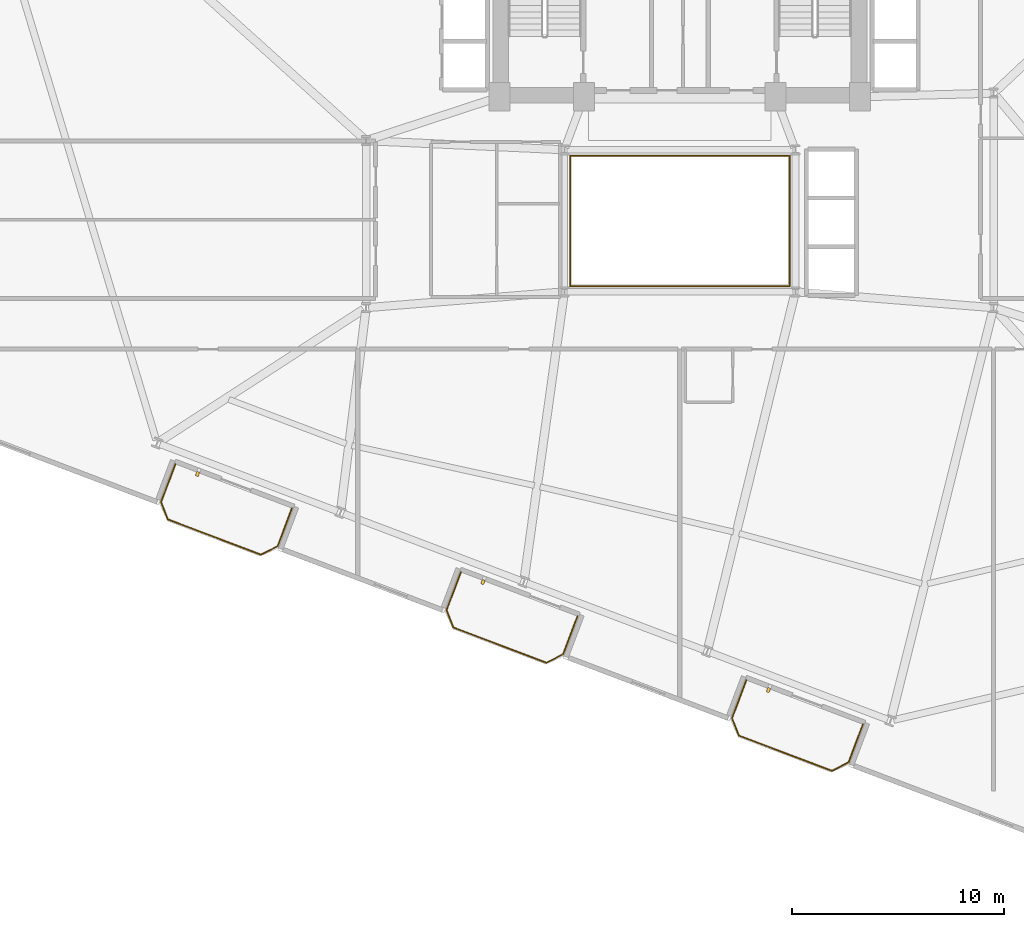
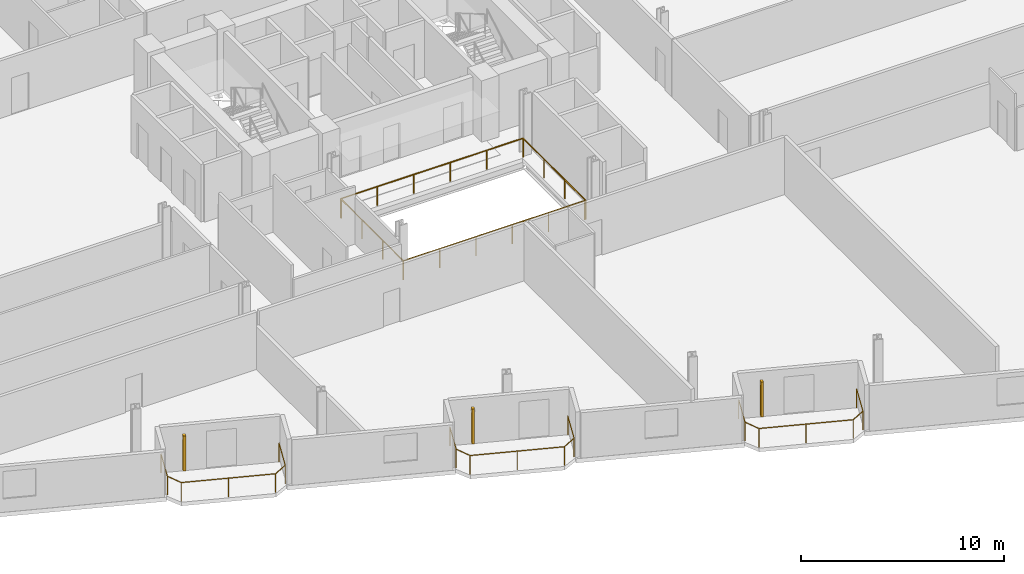
# One storey, part 22 of 24: 5 railings, 3 shading devices.
"""IFC4 building model written with IfcOpenShell, lengths in metres."""

from ifc_helpers import new_model, si_unit, direction, frame, origin, origin_2d, place, context, subcontext, project, spatial, rectangle, circle, extrude, source, transform, mapped, material, type_object, element, save


model = new_model("IFC4")

# Units and contexts
model_context = context("Model", 3, precision=1e-05, world=origin(), true_north=direction((0.0, 1.0)))
body_context = subcontext(model_context, "Body", "Model", "MODEL_VIEW")
ifc_project = project(units=[si_unit("LENGTHUNIT", "METRE"), si_unit("AREAUNIT", "SQUARE_METRE"), si_unit("VOLUMEUNIT", "CUBIC_METRE"), si_unit("PLANEANGLEUNIT", "RADIAN"), si_unit("MASSUNIT", "GRAM", prefix="KILO")], contexts=[model_context])

# Site, building, storey
site_placement = place(None, origin())
site = spatial("IfcSite", under=ifc_project, at=site_placement, CompositionType="ELEMENT")
building_placement = place(site_placement, origin())
building = spatial("IfcBuilding", under=site, at=building_placement, Name="Varnelok Gate Tower", CompositionType="ELEMENT")
storey_placement = place(building_placement, frame((0.0, 0.0, 102.10009765625)))
storey = spatial("IfcBuildingStorey", under=building, at=storey_placement, Name="L25", CompositionType="ELEMENT", Elevation=102.10009765625)

# Railings
ifc_material_1 = material(Name="Tempered Laminated Balustrade Glass", Category="glass")
railing_type_1 = type_object("IfcRailingType", Name="RL-ATR-GUARD1150", PredefinedType="GUARDRAIL", material=ifc_material_1)
railing_1_placement = place(storey_placement, frame((34.02001953125, 25.929931640625, 0.0)))
element("IfcRailing", 1, at=railing_1_placement, inside=storey, type_object=railing_type_1, Name="L25 Internal Atrium South-West Guardrail", PredefinedType="GUARDRAIL", context=body_context, shape_type="SweptSolid", body=[
    extrude(circle(Radius=0.02392578125, at=origin_2d()), frame((0.0, 0.0, 1.1259765625), z_axis=(0.0, -1.0, 0.0), x_axis=(1.0, 0.0, 0.0)), (0.0, 0.0, 1.0), 6.10986328125),
    extrude(circle(Radius=0.02392578125, at=origin_2d()), frame((0.0, -6.10986328125, 1.1259765625), z_axis=(1.0, 0.0, 0.0), x_axis=(0.0, 1.0, 0.0)), (0.0, 0.0, 1.0), 10.31005859375),
    extrude(circle(Radius=0.02099609375, at=origin_2d()), origin(), (0.0, 0.0, 1.0), 1.101806640625),
    extrude(circle(Radius=0.02099609375, at=origin_2d()), frame((0.0, -2.03662109375, 0.0)), (0.0, 0.0, 1.0), 1.101806640625),
    extrude(circle(Radius=0.02099609375, at=origin_2d()), frame((0.0, -4.0732421875, 0.0)), (0.0, 0.0, 1.0), 1.101806640625),
    extrude(circle(Radius=0.02099609375, at=origin_2d()), frame((0.0, -6.10986328125, 0.0)), (0.0, 0.0, 1.0), 1.101806640625),
    extrude(circle(Radius=0.02099609375, at=origin_2d()), frame((2.06201171875, -6.10986328125, 0.0)), (0.0, 0.0, 1.0), 1.101806640625),
    extrude(circle(Radius=0.02099609375, at=origin_2d()), frame((4.1240234375, -6.10986328125, 0.0)), (0.0, 0.0, 1.0), 1.101806640625),
    extrude(circle(Radius=0.02099609375, at=origin_2d()), frame((6.18603515625, -6.10986328125, 0.0)), (0.0, 0.0, 1.0), 1.101806640625),
    extrude(circle(Radius=0.02099609375, at=origin_2d()), frame((8.248046875, -6.10986328125, 0.0)), (0.0, 0.0, 1.0), 1.101806640625),
    extrude(circle(Radius=0.02099609375, at=origin_2d()), frame((10.31005859375, -6.10986328125, 0.0)), (0.0, 0.0, 1.0), 1.101806640625),
])
railing_2_placement = place(storey_placement, frame((44.3798828125, 19.820068359375, 0.0)))
element("IfcRailing", 2, at=railing_2_placement, inside=storey, type_object=railing_type_1, Name="L25 Internal Atrium North-East Guardrail", PredefinedType="GUARDRAIL", context=body_context, shape_type="SweptSolid", body=[
    extrude(circle(Radius=0.02392578125, at=origin_2d()), frame((0.0, 0.0, 1.1259765625), z_axis=(0.0, 1.0, 0.0), x_axis=(-1.0, 0.0, 0.0)), (0.0, 0.0, 1.0), 6.159912109375),
    extrude(circle(Radius=0.02392578125, at=origin_2d()), frame((0.0, 6.159912109375, 1.1259765625), z_axis=(-1.0, 0.0, 0.0), x_axis=(0.0, -1.0, 0.0)), (0.0, 0.0, 1.0), 10.35986328125),
    extrude(circle(Radius=0.02099609375, at=origin_2d()), origin(), (0.0, 0.0, 1.0), 1.101806640625),
    extrude(circle(Radius=0.02099609375, at=origin_2d()), frame((0.0, 2.05322265625, 0.0)), (0.0, 0.0, 1.0), 1.101806640625),
    extrude(circle(Radius=0.02099609375, at=origin_2d()), frame((0.0, 4.106689453125, 0.0)), (0.0, 0.0, 1.0), 1.101806640625),
    extrude(circle(Radius=0.02099609375, at=origin_2d()), frame((0.0, 6.159912109375, 0.0)), (0.0, 0.0, 1.0), 1.101806640625),
    extrude(circle(Radius=0.02099609375, at=origin_2d()), frame((-2.072021484375, 6.159912109375, 0.0)), (0.0, 0.0, 1.0), 1.101806640625),
    extrude(circle(Radius=0.02099609375, at=origin_2d()), frame((-4.14404296875, 6.159912109375, 0.0)), (0.0, 0.0, 1.0), 1.101806640625),
    extrude(circle(Radius=0.02099609375, at=origin_2d()), frame((-6.2158203125, 6.159912109375, 0.0)), (0.0, 0.0, 1.0), 1.101806640625),
    extrude(circle(Radius=0.02099609375, at=origin_2d()), frame((-8.287841796875, 6.159912109375, 0.0)), (0.0, 0.0, 1.0), 1.101806640625),
    extrude(circle(Radius=0.02099609375, at=origin_2d()), frame((-10.35986328125, 6.159912109375, 0.0)), (0.0, 0.0, 1.0), 1.101806640625),
])
ifc_material_2 = material(Name="Low-E Laminated Double Glazing IGU", Category="glass")
railing_type_2 = type_object("IfcRailingType", Name="RL-BALC-1150", PredefinedType="BALUSTRADE", material=ifc_material_2)
railing_3_placement = place(storey_placement, frame((15.40625, 11.42578125, 0.0)))
element("IfcRailing", 3, at=railing_3_placement, inside=storey, type_object=railing_type_2, Name="L25 South Terrace Balustrade 1", PredefinedType="BALUSTRADE", context=body_context, shape_type="SweptSolid", body=[
    extrude(circle(Radius=0.02392578125, at=origin_2d()), frame((0.0, 0.0, 1.1259765625), z_axis=(-0.354006333352, -0.935243025073, 0.0), x_axis=(0.935243025073, -0.354006333352, 0.0)), (0.0, 0.0, 1.0), 1.919921875),
    extrude(circle(Radius=0.02392578125, at=origin_2d()), frame((-0.6796875, -1.795654296875, 1.1259765625), z_axis=(0.366254584666, -0.930514685113, 0.0), x_axis=(0.930514685113, 0.366254584666, 0.0)), (0.0, 0.0, 1.0), 0.8779296875),
    extrude(circle(Radius=0.02392578125, at=origin_2d()), frame((-0.358154296875, -2.612548828125, 1.1259765625), z_axis=(0.935223045203, -0.354059113314, 0.0), x_axis=(0.354059113314, 0.935223045203, 0.0)), (0.0, 0.0, 1.0), 4.699951171875),
    extrude(circle(Radius=0.02392578125, at=origin_2d()), frame((4.037353515625, -4.276611328125, 1.1259765625), z_axis=(0.89078254773, 0.454429810487, 0.0), x_axis=(-0.454429810487, 0.89078254773, 0.0)), (0.0, 0.0, 1.0), 0.8779296875),
    extrude(circle(Radius=0.02392578125, at=origin_2d()), frame((4.8193359375, -3.877685546875, 1.1259765625), z_axis=(0.354117547856, 0.935200920819, 0.0), x_axis=(-0.935200920819, 0.354117547856, 0.0)), (0.0, 0.0, 1.0), 1.920166015625),
    extrude(circle(Radius=0.02099609375, at=origin_2d()), origin(), (0.0, 0.0, 1.0), 1.101806640625),
    extrude(circle(Radius=0.02099609375, at=origin_2d()), frame((-0.6796875, -1.795654296875, 0.0)), (0.0, 0.0, 1.0), 1.101806640625),
    extrude(circle(Radius=0.02099609375, at=origin_2d()), frame((-0.358154296875, -2.612548828125, 0.0)), (0.0, 0.0, 1.0), 1.101806640625),
    extrude(circle(Radius=0.02099609375, at=origin_2d()), frame((1.839599609375, -3.444580078125, 0.0)), (0.0, 0.0, 1.0), 1.101806640625),
    extrude(circle(Radius=0.02099609375, at=origin_2d()), frame((4.037353515625, -4.276611328125, 0.0)), (0.0, 0.0, 1.0), 1.101806640625),
    extrude(circle(Radius=0.02099609375, at=origin_2d()), frame((4.8193359375, -3.877685546875, 0.0)), (0.0, 0.0, 1.0), 1.101806640625),
    extrude(circle(Radius=0.02099609375, at=origin_2d()), frame((5.499267578125, -2.08203125, 0.0)), (0.0, 0.0, 1.0), 1.101806640625),
])
railing_4_placement = place(storey_placement, frame((28.87353515625, 6.3271484375, 0.0)))
element("IfcRailing", 4, at=railing_4_placement, inside=storey, type_object=railing_type_2, Name="L25 South Terrace Balustrade 2", PredefinedType="BALUSTRADE", context=body_context, shape_type="SweptSolid", body=[
    extrude(circle(Radius=0.02392578125, at=origin_2d()), frame((0.0, 0.0, 1.1259765625), z_axis=(-0.354117547856, -0.935200920819, 0.0), x_axis=(0.935200920819, -0.354117547856, 0.0)), (0.0, 0.0, 1.0), 1.920166015625),
    extrude(circle(Radius=0.02392578125, at=origin_2d()), frame((-0.679931640625, -1.795654296875, 1.1259765625), z_axis=(0.36659018357, -0.930382522036, 0.0), x_axis=(0.930382522036, 0.36659018357, 0.0)), (0.0, 0.0, 1.0), 0.877685546875),
    extrude(circle(Radius=0.02392578125, at=origin_2d()), frame((-0.358154296875, -2.6123046875, 1.1259765625), z_axis=(0.935223045203, -0.354059113314, 0.0), x_axis=(0.354059113314, 0.935223045203, 0.0)), (0.0, 0.0, 1.0), 4.699951171875),
    extrude(circle(Radius=0.02392578125, at=origin_2d()), frame((4.037353515625, -4.2763671875, 1.1259765625), z_axis=(0.89078254773, 0.454429810487, 0.0), x_axis=(-0.454429810487, 0.89078254773, 0.0)), (0.0, 0.0, 1.0), 0.8779296875),
    extrude(circle(Radius=0.02392578125, at=origin_2d()), frame((4.8193359375, -3.87744140625, 1.1259765625), z_axis=(0.354006333352, 0.935243025073, 0.0), x_axis=(-0.935243025073, 0.354006333352, 0.0)), (0.0, 0.0, 1.0), 1.919921875),
    extrude(circle(Radius=0.02099609375, at=origin_2d()), origin(), (0.0, 0.0, 1.0), 1.101806640625),
    extrude(circle(Radius=0.02099609375, at=origin_2d()), frame((-0.679931640625, -1.795654296875, 0.0)), (0.0, 0.0, 1.0), 1.101806640625),
    extrude(circle(Radius=0.02099609375, at=origin_2d()), frame((-0.358154296875, -2.6123046875, 0.0)), (0.0, 0.0, 1.0), 1.101806640625),
    extrude(circle(Radius=0.02099609375, at=origin_2d()), frame((1.839599609375, -3.4443359375, 0.0)), (0.0, 0.0, 1.0), 1.101806640625),
    extrude(circle(Radius=0.02099609375, at=origin_2d()), frame((4.037353515625, -4.2763671875, 0.0)), (0.0, 0.0, 1.0), 1.101806640625),
    extrude(circle(Radius=0.02099609375, at=origin_2d()), frame((4.8193359375, -3.87744140625, 0.0)), (0.0, 0.0, 1.0), 1.101806640625),
    extrude(circle(Radius=0.02099609375, at=origin_2d()), frame((5.4990234375, -2.081787109375, 0.0)), (0.0, 0.0, 1.0), 1.101806640625),
])
railing_5_placement = place(storey_placement, frame((42.3408203125, 1.228759765625, 0.0)))
element("IfcRailing", 5, at=railing_5_placement, inside=storey, type_object=railing_type_2, Name="L25 South Terrace Balustrade 3", PredefinedType="BALUSTRADE", context=body_context, shape_type="SweptSolid", body=[
    extrude(circle(Radius=0.02392578125, at=origin_2d()), frame((0.0, 0.0, 1.1259765625), z_axis=(-0.354117547856, -0.935200920819, 0.0), x_axis=(0.935200920819, -0.354117547856, 0.0)), (0.0, 0.0, 1.0), 1.920166015625),
    extrude(circle(Radius=0.02392578125, at=origin_2d()), frame((-0.679931640625, -1.795654296875, 1.1259765625), z_axis=(0.366254584666, -0.930514685113, 0.0), x_axis=(0.930514685113, 0.366254584666, 0.0)), (0.0, 0.0, 1.0), 0.8779296875),
    extrude(circle(Radius=0.02392578125, at=origin_2d()), frame((-0.3583984375, -2.612548828125, 1.1259765625), z_axis=(0.935229556479, -0.354041913744, 0.0), x_axis=(0.354041913744, 0.935229556479, 0.0)), (0.0, 0.0, 1.0), 4.7001953125),
    extrude(circle(Radius=0.02392578125, at=origin_2d()), frame((4.037353515625, -4.276611328125, 1.1259765625), z_axis=(0.890612455555, 0.454763074589, 0.0), x_axis=(-0.454763074589, 0.890612455555, 0.0)), (0.0, 0.0, 1.0), 0.877685546875),
    extrude(circle(Radius=0.02392578125, at=origin_2d()), frame((4.819091796875, -3.87744140625, 1.1259765625), z_axis=(0.354159661475, 0.935184973245, 0.0), x_axis=(-0.935184973245, 0.354159661475, 0.0)), (0.0, 0.0, 1.0), 1.919921875),
    extrude(circle(Radius=0.02099609375, at=origin_2d()), origin(), (0.0, 0.0, 1.0), 1.101806640625),
    extrude(circle(Radius=0.02099609375, at=origin_2d()), frame((-0.679931640625, -1.795654296875, 0.0)), (0.0, 0.0, 1.0), 1.101806640625),
    extrude(circle(Radius=0.02099609375, at=origin_2d()), frame((-0.3583984375, -2.612548828125, 0.0)), (0.0, 0.0, 1.0), 1.101806640625),
    extrude(circle(Radius=0.02099609375, at=origin_2d()), frame((1.83935546875, -3.444580078125, 0.0)), (0.0, 0.0, 1.0), 1.101806640625),
    extrude(circle(Radius=0.02099609375, at=origin_2d()), frame((4.037353515625, -4.276611328125, 0.0)), (0.0, 0.0, 1.0), 1.101806640625),
    extrude(circle(Radius=0.02099609375, at=origin_2d()), frame((4.819091796875, -3.87744140625, 0.0)), (0.0, 0.0, 1.0), 1.101806640625),
    extrude(circle(Radius=0.02099609375, at=origin_2d()), frame((5.4990234375, -2.08203125, 0.0)), (0.0, 0.0, 1.0), 1.101806640625),
])

# Shading devices
ifc_material_3 = material(Name="Glazed Architectural Terracotta Ceramic", Category="masonry")
shading_device_type = type_object("IfcShadingDeviceType", Name="SHD-TERRA-FIN", PredefinedType="USERDEFINED", material=ifc_material_3)
shared_shape = source(origin(), body_context, "Body", "SweptSolid", [
    extrude(rectangle(XDim=0.139892578125, YDim=0.219970703125, at=origin_2d()), origin(), (0.0, 0.0, 1.0), 2.10009765625),
])
for number, where, z_axis, x_axis, name in (
    (6, (16.44775390625, 10.95654296875, 0.099853515625), (0.0, 0.0, 1.0), (0.935221751401, -0.354062530786, 0.0), "L25 Terracotta Ceramic Baguette Sunscreen 1.1"),
    (7, (29.914794921875, 5.858154296875, 0.099853515625), (0.0, 0.0, 1.0), (0.935221751401, -0.354062530786, 0.0), "L25 Terracotta Ceramic Baguette Sunscreen 2.1"),
    (8, (43.382080078125, 0.759521484375, 0.099853515625), (0.0, 0.0, 1.0), (0.935221751401, -0.354062530786, 0.0), "L25 Terracotta Ceramic Baguette Sunscreen 3.1"),
):
    element("IfcShadingDevice", number, at=place(storey_placement, frame(where, z_axis=z_axis, x_axis=x_axis)), inside=storey, type_object=shading_device_type, Name=name, ObjectType="BAGUETTE", PredefinedType="USERDEFINED", context=body_context, shape_type="MappedRepresentation", body=[
        mapped(shared_shape, transform((0.0, 0.0, 0.0), scale=1.0)),
    ])

save(model, "model.ifc")
